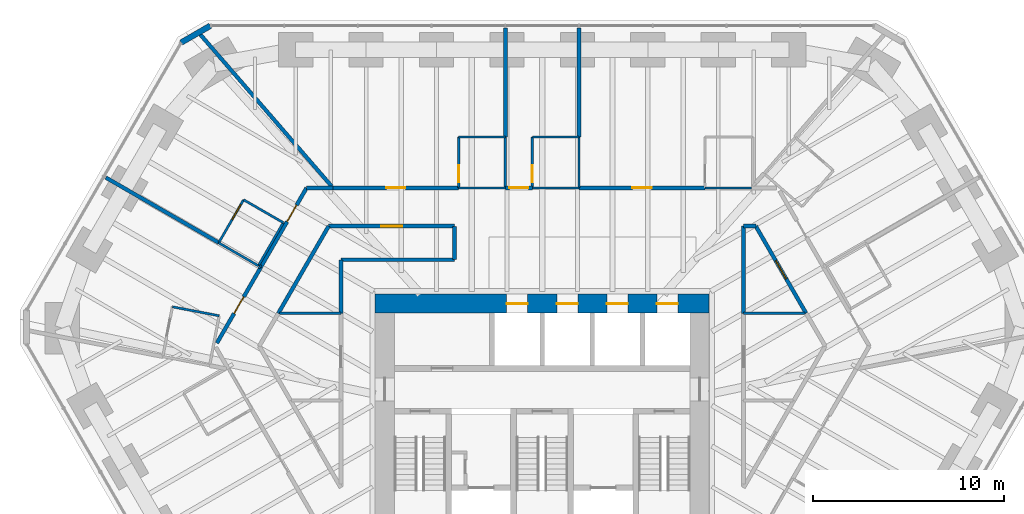
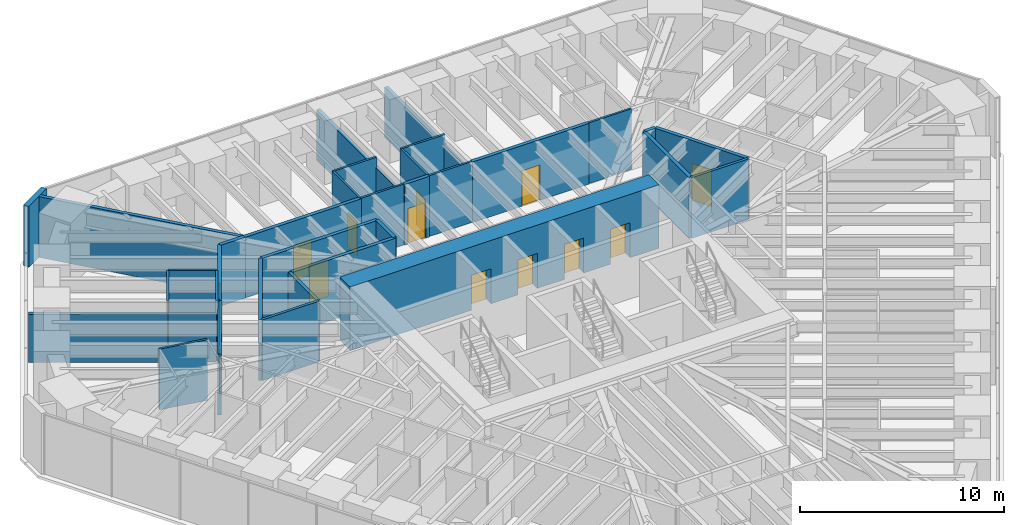
# One storey, part 14 of 16: 37 walls, 14 doors, 14 openings.
"""IFC4 building model written with IfcOpenShell, lengths in metres."""

import ifcopenshell
import ifcopenshell.guid

model = None  # the IFC model being written
_history = None  # IfcOwnerHistory: only IFC2X3 demands one
_inside = {}  # id of a spatial element -> (the spatial element, [elements in it])
_under = {}  # id of a project, library or spatial element -> (it, [spatial elements below it])
_declared = {}  # id of a project -> (the project, [libraries it declares])
_typed = {}  # id of a type object -> (the type object, [elements of that type])
_made_of = {}  # id of a material, layer set ... -> (it, [elements and type objects made of it])


def new_model(schema):
    """Start an empty IFC model of exactly this schema.

    Asked for "IFC4X3", IfcOpenShell would pick the latest addendum, in which some entities
    have other attributes; the version numbers below select the first issue.
    IFC2X3 requires an IfcOwnerHistory on every rooted entity: one is made here for all.
    """
    global model, _history
    if schema == "IFC4X3":
        model = ifcopenshell.file(schema_version=(4, 3, 0, 0))
    else:
        model = ifcopenshell.file(schema=schema)
    _inside.clear()
    _under.clear()
    _declared.clear()
    _typed.clear()
    _made_of.clear()
    _history = None
    if model.schema == "IFC2X3":
        org = make("IfcOrganization", Name="unknown")
        user = make(
            "IfcPersonAndOrganization",
            ThePerson=make("IfcPerson", FamilyName="unknown"),
            TheOrganization=org,
        )
        app = make(
            "IfcApplication",
            ApplicationDeveloper=org,
            Version="unknown",
            ApplicationFullName="unknown",
            ApplicationIdentifier="unknown",
        )
        _history = make(
            "IfcOwnerHistory",
            OwningUser=user,
            OwningApplication=app,
            ChangeAction="ADDED",
            CreationDate=0,
        )
    return model


def make(cls, **values):
    """One entity of the class cls with the attributes given. An attribute that is None is left unset."""
    return model.create_entity(
        cls, **{name: value for name, value in values.items() if value is not None}
    )


def rooted(cls, **values):
    """An entity with a GlobalId (a new one), such as an element, a storey or a relation."""
    return make(cls, GlobalId=ifcopenshell.guid.new(), OwnerHistory=_history, **values)


def si_unit(unit_type, name, prefix=None):
    """IfcSIUnit, for example si_unit("LENGTHUNIT", "METRE", prefix="MILLI")."""
    return make("IfcSIUnit", UnitType=unit_type, Prefix=prefix, Name=name)


def assignment(units):
    """IfcUnitAssignment: the units of a project."""
    return None if units is None else make("IfcUnitAssignment", Units=units)


def point(xyz):
    """IfcCartesianPoint."""
    return None if xyz is None else make("IfcCartesianPoint", Coordinates=xyz)


def direction(xyz):
    """IfcDirection."""
    return None if xyz is None else make("IfcDirection", DirectionRatios=xyz)


def frame(location, z_axis=None, x_axis=None):
    """IfcAxis2Placement3D, a coordinate frame: its origin and axes. An axis left out is left unset."""
    return make(
        "IfcAxis2Placement3D",
        Location=point(location),
        Axis=direction(z_axis),
        RefDirection=direction(x_axis),
    )


def frame_2d(location, x_axis=None):
    """IfcAxis2Placement2D, a coordinate frame in the plane: its origin and x axis."""
    return make(
        "IfcAxis2Placement2D", Location=point(location), RefDirection=direction(x_axis)
    )


def origin():
    """The frame at (0, 0, 0) with its axes left unset."""
    return frame((0.0, 0.0, 0.0))


def place(relative_to, where):
    """IfcLocalPlacement: puts the frame where relative to a parent placement (None: the world)."""
    return make(
        "IfcLocalPlacement", PlacementRelTo=relative_to, RelativePlacement=where
    )


def context(
    kind, dimensions, precision=None, world=None, true_north=None, identifier=None
):
    """IfcGeometricRepresentationContext, for example the 3D "Model" context."""
    return make(
        "IfcGeometricRepresentationContext",
        ContextIdentifier=identifier,
        ContextType=kind,
        CoordinateSpaceDimension=dimensions,
        Precision=precision,
        WorldCoordinateSystem=world,
        TrueNorth=true_north,
    )


def subcontext(parent, identifier, kind, view, scale=None):
    """IfcGeometricRepresentationSubContext, for example "Body" below "Model"."""
    return make(
        "IfcGeometricRepresentationSubContext",
        ContextIdentifier=identifier,
        ContextType=kind,
        ParentContext=parent,
        TargetScale=scale,
        TargetView=view,
    )


def project(units=None, contexts=None):
    """IfcProject with its units and contexts."""
    return rooted(
        "IfcProject",
        Name="project",
        RepresentationContexts=contexts,
        UnitsInContext=assignment(units),
    )


def spatial(cls, under=None, at=None, **own):
    """A site, building, storey or space (cls), placed at a placement, below another one or the project."""
    s = rooted(cls, ObjectPlacement=at, **own)
    if under is not None:
        _under.setdefault(under.id(), (under, []))[1].append(s)
    return s


def profile(cls, at=None, kind="AREA", **sizes):
    """A parametric profile (cls). Its sizes go by their IFC names, for example OverallWidth=200.0."""
    return make(cls, ProfileType=kind, Position=at, **sizes)


def rectangle(**sizes):
    """IfcRectangleProfileDef."""
    return profile("IfcRectangleProfileDef", **sizes)


def extrude(swept, where, along, depth):
    """IfcExtrudedAreaSolid: the profile swept, set in the frame where, extruded along a direction by depth."""
    return make(
        "IfcExtrudedAreaSolid",
        SweptArea=swept,
        Position=where,
        ExtrudedDirection=direction(along),
        Depth=depth,
    )


def shape(context_of_items, identifier, shape_type, items):
    """IfcShapeRepresentation: the items that make up one representation, for example the "Body"."""
    return make(
        "IfcShapeRepresentation",
        ContextOfItems=context_of_items,
        RepresentationIdentifier=identifier,
        RepresentationType=shape_type,
        Items=items,
    )


def material(Name=None, Category=None):
    """IfcMaterial."""
    return make("IfcMaterial", Name=Name, Category=Category)


def layer(
    of_material, thickness, ventilated=None, Name=None, Category=None, Priority=None
):
    """IfcMaterialLayer: one layer of a wall or slab, of a material (None: an air gap)."""
    return make(
        "IfcMaterialLayer",
        Material=of_material,
        LayerThickness=thickness,
        IsVentilated=ventilated,
        Name=Name,
        Category=Category,
        Priority=Priority,
    )


def layer_set(layers, Name=None):
    """IfcMaterialLayerSet."""
    return make("IfcMaterialLayerSet", MaterialLayers=layers, LayerSetName=Name)


def made_of(thing, what):
    """Note that an element or type object is made of a material, layer set ...; save() writes the relation."""
    if what is not None:
        _made_of.setdefault(what.id(), (what, []))[1].append(thing)
    return thing


def type_object(cls, material=None, **own):
    """A type object (cls), such as IfcWallType, which elements share."""
    return made_of(rooted(cls, **own), material)


def element(
    cls,
    number,
    at=None,
    inside=None,
    cuts=None,
    type_object=None,
    material=None,
    context=None,
    identifier="Body",
    shape_type=None,
    held_by="IfcProductDefinitionShape",
    body=None,
    shapes=None,
    **own,
):
    """One element of the class cls, such as IfcWall. Its Tag is "e" and its number.

    at: its placement. inside: the storey or other place that contains it. cuts: it is an
    opening in that element (IfcRelVoidsElement). A single representation is given by context,
    identifier, shape_type and body (its items); several are given by shapes. held_by: the class
    of the entity that holds the representations. save() writes the other relations.
    """
    e = rooted(cls, Tag="e%d" % number, ObjectPlacement=at, **own)
    if body is not None:
        shapes = [shape(context, identifier, shape_type, body)]
    if shapes is not None:
        e.Representation = make(held_by, Representations=shapes)
    if inside is not None:
        _inside.setdefault(inside.id(), (inside, []))[1].append(e)
    if cuts is not None:
        rooted(
            "IfcRelVoidsElement", RelatingBuildingElement=cuts, RelatedOpeningElement=e
        )
    if type_object is not None:
        _typed.setdefault(type_object.id(), (type_object, []))[1].append(e)
    return made_of(e, material)


def fill(opening, filler):
    """IfcRelFillsElement: the door or window that sits in an opening."""
    return rooted(
        "IfcRelFillsElement",
        RelatingOpeningElement=opening,
        RelatedBuildingElement=filler,
    )


def aggregate(whole, parts):
    """IfcRelAggregates: a whole, such as a stair, and the parts it consists of."""
    return rooted("IfcRelAggregates", RelatingObject=whole, RelatedObjects=parts)


def save(model, path):
    """Write the relations noted so far, then the file.

    IfcRelAggregates (storeys below a building ...), IfcRelContainedInSpatialStructure (elements
    in a storey), IfcRelDefinesByType, IfcRelAssociatesMaterial and IfcRelDeclares: one each for
    every whole, place, type object, material and project.
    """
    for whole, parts in _under.values():
        aggregate(whole, parts)
    for where, things in _inside.values():
        rooted(
            "IfcRelContainedInSpatialStructure",
            RelatedElements=things,
            RelatingStructure=where,
        )
    for kind, things in _typed.values():
        rooted("IfcRelDefinesByType", RelatedObjects=things, RelatingType=kind)
    for what, things in _made_of.values():
        rooted("IfcRelAssociatesMaterial", RelatedObjects=things, RelatingMaterial=what)
    for by, libraries in _declared.values():
        rooted("IfcRelDeclares", RelatingContext=by, RelatedDefinitions=libraries)
    model.write(path)


model = new_model("IFC4")

# Units and contexts
model_context = context("Model", 3, precision=1e-05, world=origin(), true_north=direction((0.0, 1.0)))
body_context = subcontext(model_context, "Body", "Model", "MODEL_VIEW")
ifc_project = project(units=[si_unit("LENGTHUNIT", "METRE"), si_unit("AREAUNIT", "SQUARE_METRE"), si_unit("VOLUMEUNIT", "CUBIC_METRE"), si_unit("PLANEANGLEUNIT", "RADIAN"), si_unit("MASSUNIT", "GRAM", prefix="KILO")], contexts=[model_context])

# Site, building, storey
site_placement = place(None, origin())
site = spatial("IfcSite", under=ifc_project, at=site_placement, CompositionType="ELEMENT")
building_placement = place(site_placement, origin())
building = spatial("IfcBuilding", under=site, at=building_placement, Name="Sandreach Pilgrim Tower", CompositionType="ELEMENT")
storey_placement = place(building_placement, frame((0.0, 0.0, 183.199951171875)))
storey = spatial("IfcBuildingStorey", under=building, at=storey_placement, Name="L45", CompositionType="ELEMENT", Elevation=183.199951171875)

# Walls
ifc_material_1 = material(Name="Gypsum board on steel studs", Category="steel")
ifc_layer_1 = layer(ifc_material_1, 0.14990234375)
ifc_layer_set_1 = layer_set([ifc_layer_1], Name="Back of house wall 150")
wall_type_1 = type_object("IfcWallType", Name="Back of house wall 150", PredefinedType="PARTITIONING", material=ifc_layer_set_1)
for number, where, z_axis, x_axis, name in (
    (1, (-13.77490234375, 6.090087890625, 0.0), (0.0, 0.0, 1.0), (1.0, 0.0, 0.0), "Back of house wall L45-026"),
    (2, (13.77490234375, 6.090087890625, 0.0), (0.0, 0.0, 1.0), (-1.0, 0.0, 0.0), "Back of house wall L45-131"),
):
    element("IfcWall", number, at=place(storey_placement, frame(where, z_axis=z_axis, x_axis=x_axis)), inside=storey, type_object=wall_type_1, Name=name, PredefinedType="PARTITIONING", context=body_context, shape_type="SweptSolid", body=[
        extrude(rectangle(XDim=3.224853515625, YDim=0.14990234375, at=frame_2d((1.6123046875, 0.0))), origin(), (0.0, 0.0, 1.0), 3.64013671875),
    ])
ifc_material_2 = material(Name="Moisture-resistant gypsum board on steel studs", Category="steel")
ifc_layer_2 = layer(ifc_material_2, 0.1201171875)
ifc_layer_set_2 = layer_set([ifc_layer_2], Name="Bathroom partition 120")
wall_type_2 = type_object("IfcWallType", Name="Bathroom partition 120", PredefinedType="PARTITIONING", material=ifc_layer_set_2)
wall_1_placement = place(storey_placement, frame((-16.953857421875, 9.783447265625, 0.0), z_axis=(0.0, 0.0, 1.0), x_axis=(0.865862137391, -0.500282679124, 0.0)))
element("IfcWall", 3, at=wall_1_placement, inside=storey, type_object=wall_type_2, Name="Bathroom partition L45-011", PredefinedType="PARTITIONING", context=body_context, shape_type="SweptSolid", body=[
    extrude(rectangle(XDim=2.4013671875, YDim=0.1201171875, at=frame_2d((1.20068359375, 0.0))), origin(), (0.0, 0.0, 1.0), 2.8779296875),
])
wall_2_placement = place(storey_placement, frame((-16.929931640625, 5.9599609375, 0.0), z_axis=(0.0, 0.0, 1.0), x_axis=(-0.982097071605, 0.18837553436, 0.0)))
element("IfcWall", 4, at=wall_2_placement, inside=storey, type_object=wall_type_2, Name="Bathroom partition L45-013", PredefinedType="PARTITIONING", context=body_context, shape_type="SweptSolid", body=[
    extrude(rectangle(XDim=2.494873046875, YDim=0.1201171875, at=frame_2d((1.24755859375, 0.0))), origin(), (0.0, 0.0, 1.0), 3.64013671875),
])

# Wall, opening, door
wall_3_placement = place(storey_placement, frame((-15.64990234375, 12.0400390625, 0.0), z_axis=(0.0, 0.0, 1.0), x_axis=(-0.500291685314, -0.865856933682, 0.0)))
wall_3 = element("IfcWall", 5, at=wall_3_placement, inside=storey, type_object=wall_type_2, Name="Bathroom partition L45-016", PredefinedType="PARTITIONING", context=body_context, shape_type="SweptSolid", body=[
    extrude(rectangle(XDim=2.5986328125, YDim=0.1201171875, at=frame_2d((1.29931640625, 0.0))), origin(), (0.0, 0.0, 1.0), 3.64013671875),
])
opening_1_placement = place(wall_3_placement, frame((0.300048828125, 0.0, 0.0)))
opening_1 = element("IfcOpeningElement", 6, at=opening_1_placement, cuts=wall_3, Name="Opening D09-17B", PredefinedType="OPENING", context=body_context, shape_type="SweptSolid", body=[
    extrude(rectangle(XDim=0.89990234375, YDim=2.030029296875, at=frame_2d((0.449951171875, 1.01513671875))), frame((0.0, 0.06005859375, 0.0), z_axis=(0.0, -1.0, 0.0), x_axis=(1.0, 0.0, 0.0)), (0.0, 0.0, 1.0), 0.1201171875),
])
ifc_material_3 = material(Name="Timber door, steel frame", Category="steel")
door_type_1 = type_object("IfcDoorType", Name="Bathroom door", OperationType="SINGLE_SWING_LEFT", PredefinedType="DOOR", material=ifc_material_3)
door_1_placement = place(opening_1_placement, origin())
door_1 = element("IfcDoor", 7, at=door_1_placement, inside=storey, type_object=door_type_1, Name="Door 4517B", OperationType="SINGLE_SWING_LEFT", OverallHeight=2.030029296875, OverallWidth=0.89990234375, PredefinedType="DOOR", context=body_context, shape_type="SweptSolid", body=[
    extrude(rectangle(XDim=0.89990234375, YDim=2.030029296875, at=frame_2d((0.449951171875, 1.01513671875))), frame((0.0, 0.02490234375, 0.0), z_axis=(0.0, -1.0, 0.0), x_axis=(1.0, 0.0, 0.0)), (0.0, 0.0, 1.0), 0.050048828125),
])
fill(opening_1, door_1)

# Walls
wall_4_placement = place(storey_placement, frame((-14.8701171875, 8.590087890625, 0.0), z_axis=(0.0, 0.0, 1.0), x_axis=(0.500291685314, 0.865856933682, 0.0)))
element("IfcWall", 8, at=wall_4_placement, inside=storey, type_object=wall_type_2, Name="Bathroom partition L45-018", PredefinedType="PARTITIONING", context=body_context, shape_type="SweptSolid", body=[
    extrude(rectangle(XDim=2.5986328125, YDim=0.1201171875, at=frame_2d((1.29931640625, 0.0))), origin(), (0.0, 0.0, 1.0), 3.64013671875),
])
wall_5_placement = place(storey_placement, frame((-13.570068359375, 10.840087890625, 0.0), z_axis=(0.0, 0.0, 1.0), x_axis=(-0.866177122335, 0.499737123639, 0.0)))
element("IfcWall", 9, at=wall_5_placement, inside=storey, type_object=wall_type_2, Name="Bathroom partition L45-027", PredefinedType="PARTITIONING", context=body_context, shape_type="SweptSolid", body=[
    extrude(rectangle(XDim=2.401123046875, YDim=0.1201171875, at=frame_2d((1.20068359375, 0.0))), origin(), (0.0, 0.0, 1.0), 3.64013671875),
])

# Wall, opening, door
wall_6_placement = place(storey_placement, frame((-4.3798828125, 15.330078125, 0.0), z_axis=(0.0, 0.0, 1.0), x_axis=(0.0, -1.0, 0.0)))
wall_6 = element("IfcWall", 10, at=wall_6_placement, inside=storey, type_object=wall_type_2, Name="Bathroom partition L45-052", PredefinedType="PARTITIONING", context=body_context, shape_type="SweptSolid", body=[
    extrude(rectangle(XDim=2.670166015625, YDim=0.1201171875, at=frame_2d((1.3349609375, 0.0))), origin(), (0.0, 0.0, 1.0), 3.64013671875),
])
opening_2_placement = place(wall_6_placement, frame((1.469970703125, 0.0, 0.0)))
opening_2 = element("IfcOpeningElement", 11, at=opening_2_placement, cuts=wall_6, Name="Opening D09-01B", PredefinedType="OPENING", context=body_context, shape_type="SweptSolid", body=[
    extrude(rectangle(XDim=0.89990234375, YDim=2.030029296875, at=frame_2d((0.449951171875, 1.01513671875))), frame((0.0, 0.06005859375, 0.0), z_axis=(0.0, -1.0, 0.0), x_axis=(1.0, 0.0, 0.0)), (0.0, 0.0, 1.0), 0.1201171875),
])
door_2_placement = place(opening_2_placement, origin())
door_2 = element("IfcDoor", 12, at=door_2_placement, inside=storey, type_object=door_type_1, Name="Door 4501B", OperationType="SINGLE_SWING_RIGHT", OverallHeight=2.030029296875, OverallWidth=0.89990234375, PredefinedType="DOOR", context=body_context, shape_type="SweptSolid", body=[
    extrude(rectangle(XDim=0.89990234375, YDim=2.030029296875, at=frame_2d((0.449951171875, 1.01513671875))), frame((0.0, 0.02490234375, 0.0), z_axis=(0.0, -1.0, 0.0), x_axis=(1.0, 0.0, 0.0)), (0.0, 0.0, 1.0), 0.050048828125),
])
fill(opening_2, door_2)

# Walls
for number, where, z_axis, x_axis, name in (
    (13, (-1.929931640625, 12.659912109375, 0.0), (0.0, 0.0, 1.0), (-1.0, 0.0, 0.0), "Bathroom partition L45-064"),
    (14, (-1.929931640625, 15.330078125, 0.0), (0.0, 0.0, 1.0), (-1.0, 0.0, 0.0), "Bathroom partition L45-065"),
):
    element("IfcWall", number, at=place(storey_placement, frame(where, z_axis=z_axis, x_axis=x_axis)), inside=storey, type_object=wall_type_2, Name=name, PredefinedType="PARTITIONING", context=body_context, shape_type="SweptSolid", body=[
        extrude(rectangle(XDim=2.449951171875, YDim=0.1201171875, at=frame_2d((1.22509765625, 0.0))), origin(), (0.0, 0.0, 1.0), 3.64013671875),
    ])
wall_7_placement = place(storey_placement, frame((-1.929931640625, 15.330078125, 0.0), z_axis=(0.0, 0.0, 1.0), x_axis=(0.0, -1.0, 0.0)))
element("IfcWall", 15, at=wall_7_placement, inside=storey, type_object=wall_type_2, Name="Bathroom partition L45-066", PredefinedType="PARTITIONING", context=body_context, shape_type="SweptSolid", body=[
    extrude(rectangle(XDim=2.670166015625, YDim=0.1201171875, at=frame_2d((1.3349609375, 0.0))), origin(), (0.0, 0.0, 1.0), 3.02294921875),
])

# Wall, opening, door
wall_8_placement = place(storey_placement, frame((-0.52001953125, 15.330078125, 0.0), z_axis=(0.0, 0.0, 1.0), x_axis=(0.0, -1.0, 0.0)))
wall_8 = element("IfcWall", 16, at=wall_8_placement, inside=storey, type_object=wall_type_2, Name="Bathroom partition L45-073", PredefinedType="PARTITIONING", context=body_context, shape_type="SweptSolid", body=[
    extrude(rectangle(XDim=2.670166015625, YDim=0.1201171875, at=frame_2d((1.3349609375, 0.0))), origin(), (0.0, 0.0, 1.0), 3.64013671875),
])
opening_3_placement = place(wall_8_placement, frame((1.469970703125, 0.0, 0.0)))
opening_3 = element("IfcOpeningElement", 17, at=opening_3_placement, cuts=wall_8, Name="Opening D09-02B", PredefinedType="OPENING", context=body_context, shape_type="SweptSolid", body=[
    extrude(rectangle(XDim=0.89990234375, YDim=2.030029296875, at=frame_2d((0.449951171875, 1.01513671875))), frame((0.0, 0.06005859375, 0.0), z_axis=(0.0, -1.0, 0.0), x_axis=(1.0, 0.0, 0.0)), (0.0, 0.0, 1.0), 0.1201171875),
])
door_3_placement = place(opening_3_placement, origin())
door_3 = element("IfcDoor", 18, at=door_3_placement, inside=storey, type_object=door_type_1, Name="Door 4502B", OperationType="SINGLE_SWING_RIGHT", OverallHeight=2.030029296875, OverallWidth=0.89990234375, PredefinedType="DOOR", context=body_context, shape_type="SweptSolid", body=[
    extrude(rectangle(XDim=0.89990234375, YDim=2.030029296875, at=frame_2d((0.449951171875, 1.01513671875))), frame((0.0, 0.02490234375, 0.0), z_axis=(0.0, -1.0, 0.0), x_axis=(1.0, 0.0, 0.0)), (0.0, 0.0, 1.0), 0.050048828125),
])
fill(opening_3, door_3)

# Walls
for number, where, z_axis, x_axis, name in (
    (19, (1.929931640625, 12.659912109375, 0.0), (0.0, 0.0, 1.0), (-1.0, 0.0, 0.0), "Bathroom partition L45-080"),
    (20, (1.929931640625, 15.330078125, 0.0), (0.0, 0.0, 1.0), (-1.0, 0.0, 0.0), "Bathroom partition L45-081"),
):
    element("IfcWall", number, at=place(storey_placement, frame(where, z_axis=z_axis, x_axis=x_axis)), inside=storey, type_object=wall_type_2, Name=name, PredefinedType="PARTITIONING", context=body_context, shape_type="SweptSolid", body=[
        extrude(rectangle(XDim=2.449951171875, YDim=0.1201171875, at=frame_2d((1.22509765625, 0.0))), origin(), (0.0, 0.0, 1.0), 3.64013671875),
    ])
wall_9_placement = place(storey_placement, frame((1.929931640625, 15.330078125, 0.0), z_axis=(0.0, 0.0, 1.0), x_axis=(0.0, -1.0, 0.0)))
element("IfcWall", 21, at=wall_9_placement, inside=storey, type_object=wall_type_2, Name="Bathroom partition L45-082", PredefinedType="PARTITIONING", context=body_context, shape_type="SweptSolid", body=[
    extrude(rectangle(XDim=2.670166015625, YDim=0.1201171875, at=frame_2d((1.3349609375, 0.0))), origin(), (0.0, 0.0, 1.0), 3.02294921875),
])
wall_10_placement = place(storey_placement, frame((10.9599609375, 12.659912109375, 0.0), z_axis=(0.0, 0.0, 1.0), x_axis=(-1.0, 0.0, 0.0)))
element("IfcWall", 22, at=wall_10_placement, inside=storey, type_object=wall_type_2, Name="Bathroom partition L45-111", PredefinedType="PARTITIONING", context=body_context, shape_type="SweptSolid", body=[
    extrude(rectangle(XDim=2.429931640625, YDim=0.1201171875, at=frame_2d((1.21484375, 0.0))), origin(), (0.0, 0.0, 1.0), 3.64013671875),
])

# Wall, openings, doors
ifc_material_4 = material(Name="Concrete 10000 psi", Category="concrete")
ifc_layer_3 = layer(ifc_material_4, 1.0)
ifc_layer_set_3 = layer_set([ifc_layer_3], Name="Core wall 1000")
wall_type_3 = type_object("IfcWallType", Name="Core wall 1000", PredefinedType="SHEAR", material=ifc_layer_set_3)
wall_11_placement = place(storey_placement, frame((-8.75, 6.60009765625, 0.0), z_axis=(0.0, 0.0, 1.0), x_axis=(1.0, 0.0, 0.0)))
wall_11 = element("IfcWall", 23, at=wall_11_placement, inside=storey, type_object=wall_type_3, Name="Core wall N L45", PredefinedType="SHEAR", context=body_context, shape_type="SweptSolid", body=[
    extrude(rectangle(XDim=17.5, YDim=1.0, at=frame_2d((8.75, 0.0))), origin(), (0.0, 0.0, 1.0), 3.800048828125),
])
opening_4_placement = place(wall_11_placement, frame((6.887451171875, 0.0, 0.0)))
opening_4 = element("IfcOpeningElement", 24, at=opening_4_placement, cuts=wall_11, Name="Opening LD11", PredefinedType="OPENING", context=body_context, shape_type="SweptSolid", body=[
    extrude(rectangle(XDim=1.10009765625, YDim=2.10009765625, at=frame_2d((0.550048828125, 1.050048828125))), frame((0.0, 0.5, 0.0), z_axis=(0.0, -1.0, 0.0), x_axis=(1.0, 0.0, 0.0)), (0.0, 0.0, 1.0), 1.0),
])
opening_5_placement = place(wall_11_placement, frame((9.512451171875, 0.0, 0.0)))
opening_5 = element("IfcOpeningElement", 25, at=opening_5_placement, cuts=wall_11, Name="Opening LD11", PredefinedType="OPENING", context=body_context, shape_type="SweptSolid", body=[
    extrude(rectangle(XDim=1.10009765625, YDim=2.10009765625, at=frame_2d((0.550048828125, 1.050048828125))), frame((0.0, 0.5, 0.0), z_axis=(0.0, -1.0, 0.0), x_axis=(1.0, 0.0, 0.0)), (0.0, 0.0, 1.0), 1.0),
])
opening_6_placement = place(wall_11_placement, frame((12.137451171875, 0.0, 0.0)))
opening_6 = element("IfcOpeningElement", 26, at=opening_6_placement, cuts=wall_11, Name="Opening LD11", PredefinedType="OPENING", context=body_context, shape_type="SweptSolid", body=[
    extrude(rectangle(XDim=1.10009765625, YDim=2.10009765625, at=frame_2d((0.550048828125, 1.050048828125))), frame((0.0, 0.5, 0.0), z_axis=(0.0, -1.0, 0.0), x_axis=(1.0, 0.0, 0.0)), (0.0, 0.0, 1.0), 1.0),
])
opening_7_placement = place(wall_11_placement, frame((14.762451171875, 0.0, 0.0)))
opening_7 = element("IfcOpeningElement", 27, at=opening_7_placement, cuts=wall_11, Name="Opening LD11", PredefinedType="OPENING", context=body_context, shape_type="SweptSolid", body=[
    extrude(rectangle(XDim=1.10009765625, YDim=2.10009765625, at=frame_2d((0.550048828125, 1.050048828125))), frame((0.0, 0.5, 0.0), z_axis=(0.0, -1.0, 0.0), x_axis=(1.0, 0.0, 0.0)), (0.0, 0.0, 1.0), 1.0),
])
ifc_material_5 = material(Name="Steel door and frame", Category="steel")
door_type_2 = type_object("IfcDoorType", Name="Lift landing door", OperationType="DOUBLE_DOOR_SLIDING", PredefinedType="DOOR", material=ifc_material_5)
door_4_placement = place(opening_4_placement, origin())
door_4 = element("IfcDoor", 28, at=door_4_placement, inside=storey, type_object=door_type_2, Name="Lift landing door Z3A L45", OperationType="DOUBLE_DOOR_SLIDING", OverallHeight=2.10009765625, OverallWidth=1.10009765625, PredefinedType="DOOR", context=body_context, shape_type="SweptSolid", body=[
    extrude(rectangle(XDim=1.10009765625, YDim=2.10009765625, at=frame_2d((0.550048828125, 1.050048828125))), frame((0.0, 0.02490234375, 0.0), z_axis=(0.0, -1.0, 0.0), x_axis=(1.0, 0.0, 0.0)), (0.0, 0.0, 1.0), 0.050048828125),
])
fill(opening_4, door_4)
door_5_placement = place(opening_5_placement, origin())
door_5 = element("IfcDoor", 29, at=door_5_placement, inside=storey, type_object=door_type_2, Name="Lift landing door Z3B L45", OperationType="DOUBLE_DOOR_SLIDING", OverallHeight=2.10009765625, OverallWidth=1.10009765625, PredefinedType="DOOR", context=body_context, shape_type="SweptSolid", body=[
    extrude(rectangle(XDim=1.10009765625, YDim=2.10009765625, at=frame_2d((0.550048828125, 1.050048828125))), frame((0.0, 0.02490234375, 0.0), z_axis=(0.0, -1.0, 0.0), x_axis=(1.0, 0.0, 0.0)), (0.0, 0.0, 1.0), 0.050048828125),
])
fill(opening_5, door_5)
door_6_placement = place(opening_6_placement, origin())
door_6 = element("IfcDoor", 30, at=door_6_placement, inside=storey, type_object=door_type_2, Name="Lift landing door Z3C L45", OperationType="DOUBLE_DOOR_SLIDING", OverallHeight=2.10009765625, OverallWidth=1.10009765625, PredefinedType="DOOR", context=body_context, shape_type="SweptSolid", body=[
    extrude(rectangle(XDim=1.10009765625, YDim=2.10009765625, at=frame_2d((0.550048828125, 1.050048828125))), frame((0.0, 0.02490234375, 0.0), z_axis=(0.0, -1.0, 0.0), x_axis=(1.0, 0.0, 0.0)), (0.0, 0.0, 1.0), 0.050048828125),
])
fill(opening_6, door_6)
door_7_placement = place(opening_7_placement, origin())
door_7 = element("IfcDoor", 31, at=door_7_placement, inside=storey, type_object=door_type_2, Name="Lift landing door Z3D L45", OperationType="DOUBLE_DOOR_SLIDING", OverallHeight=2.10009765625, OverallWidth=1.10009765625, PredefinedType="DOOR", context=body_context, shape_type="SweptSolid", body=[
    extrude(rectangle(XDim=1.10009765625, YDim=2.10009765625, at=frame_2d((0.550048828125, 1.050048828125))), frame((0.0, 0.02490234375, 0.0), z_axis=(0.0, -1.0, 0.0), x_axis=(1.0, 0.0, 0.0)), (0.0, 0.0, 1.0), 0.050048828125),
])
fill(opening_7, door_7)

# Wall, opening, door
ifc_material_6 = material(Name="Gypsum board on steel studs, two layers each side", Category="steel")
ifc_layer_4 = layer(ifc_material_6, 0.199951171875)
ifc_layer_set_4 = layer_set([ifc_layer_4], Name="Corridor wall 200")
wall_type_4 = type_object("IfcWallType", Name="Corridor wall 200", PredefinedType="PARTITIONING", material=ifc_layer_set_4)
wall_12_placement = place(storey_placement, frame((-14.75, 8.510009765625, 0.0), z_axis=(0.0, 0.0, 1.0), x_axis=(0.500618647881, 0.86566793252, 0.0)))
wall_12 = element("IfcWall", 32, at=wall_12_placement, inside=storey, type_object=wall_type_4, Name="Corridor wall L45-021", PredefinedType="PARTITIONING", context=body_context, shape_type="SweptSolid", body=[
    extrude(rectangle(XDim=4.7939453125, YDim=0.199951171875, at=frame_2d((2.39697265625, 0.0))), origin(), (0.0, 0.0, 1.0), 3.64013671875),
])
opening_8_placement = place(wall_12_placement, frame((2.75, 0.0, 0.0)))
opening_8 = element("IfcOpeningElement", 33, at=opening_8_placement, cuts=wall_12, Name="Opening D10-17", PredefinedType="OPENING", context=body_context, shape_type="SweptSolid", body=[
    extrude(rectangle(XDim=1.0, YDim=2.1298828125, at=frame_2d((0.5, 1.06494140625))), frame((0.0, 0.10009765625, 0.0), z_axis=(0.0, -1.0, 0.0), x_axis=(1.0, 0.0, 0.0)), (0.0, 0.0, 1.0), 0.199951171875),
])
ifc_material_7 = material(Name="Steel door and frame", Category="steel")
door_type_3 = type_object("IfcDoorType", Name="Guest room entry door", OperationType="SINGLE_SWING_LEFT", PredefinedType="DOOR", material=ifc_material_7)
door_8_placement = place(opening_8_placement, origin())
door_8 = element("IfcDoor", 34, at=door_8_placement, inside=storey, type_object=door_type_3, Name="Door 4517", OperationType="SINGLE_SWING_RIGHT", OverallHeight=2.1298828125, OverallWidth=1.0, PredefinedType="DOOR", context=body_context, shape_type="SweptSolid", body=[
    extrude(rectangle(XDim=1.0, YDim=2.1298828125, at=frame_2d((0.5, 1.06494140625))), frame((0.0, 0.02490234375, 0.0), z_axis=(0.0, -1.0, 0.0), x_axis=(1.0, 0.0, 0.0)), (0.0, 0.0, 1.0), 0.050048828125),
])
fill(opening_8, door_8)

wall_13_placement = place(storey_placement, frame((-14.739990234375, 8.510009765625, 0.0), z_axis=(0.0, 0.0, 1.0), x_axis=(-0.501513165407, -0.865150012959, 0.0)))
wall_13 = element("IfcWall", 35, at=wall_13_placement, inside=storey, type_object=wall_type_4, Name="Corridor wall L45-022", PredefinedType="PARTITIONING", context=body_context, shape_type="SweptSolid", body=[
    extrude(rectangle(XDim=4.600341796875, YDim=0.199951171875, at=frame_2d((2.30029296875, 0.0))), origin(), (0.0, 0.0, 1.0), 3.64013671875),
])
opening_9_placement = place(wall_13_placement, frame((1.80029296875, 0.0, 0.0)))
opening_9 = element("IfcOpeningElement", 36, at=opening_9_placement, cuts=wall_13, Name="Opening D10-16", PredefinedType="OPENING", context=body_context, shape_type="SweptSolid", body=[
    extrude(rectangle(XDim=1.0, YDim=2.1298828125, at=frame_2d((0.5, 1.06494140625))), frame((0.0, 0.10009765625, 0.0), z_axis=(0.0, -1.0, 0.0), x_axis=(1.0, 0.0, 0.0)), (0.0, 0.0, 1.0), 0.199951171875),
])
door_9_placement = place(opening_9_placement, origin())
door_9 = element("IfcDoor", 37, at=door_9_placement, inside=storey, type_object=door_type_3, Name="Door 4516", OperationType="SINGLE_SWING_LEFT", OverallHeight=2.1298828125, OverallWidth=1.0, PredefinedType="DOOR", context=body_context, shape_type="SweptSolid", body=[
    extrude(rectangle(XDim=1.0, YDim=2.1298828125, at=frame_2d((0.5, 1.06494140625))), frame((0.0, 0.02490234375, 0.0), z_axis=(0.0, -1.0, 0.0), x_axis=(1.0, 0.0, 0.0)), (0.0, 0.0, 1.0), 0.050048828125),
])
fill(opening_9, door_9)

# Wall
wall_14_placement = place(storey_placement, frame((-13.830078125, 6.090087890625, 0.0), z_axis=(0.0, 0.0, 1.0), x_axis=(0.500248310865, 0.865881993967, 0.0)))
element("IfcWall", 38, at=wall_14_placement, inside=storey, type_object=wall_type_4, Name="Corridor wall L45-025", PredefinedType="PARTITIONING", context=body_context, shape_type="SweptSolid", body=[
    extrude(rectangle(XDim=5.277587890625, YDim=0.199951171875, at=frame_2d((2.638671875, 0.0))), origin(), (0.0, 0.0, 1.0), 3.64013671875),
])

# Wall, opening, door
wall_15_placement = place(storey_placement, frame((-11.18994140625, 10.659912109375, 0.0), z_axis=(0.0, 0.0, 1.0), x_axis=(1.0, 0.0, 0.0)))
wall_15 = element("IfcWall", 39, at=wall_15_placement, inside=storey, type_object=wall_type_4, Name="Corridor wall L45-033", PredefinedType="PARTITIONING", context=body_context, shape_type="SweptSolid", body=[
    extrude(rectangle(XDim=6.58984375, YDim=0.199951171875, at=frame_2d((3.294921875, 0.0))), origin(), (0.0, 0.0, 1.0), 3.64013671875),
])
opening_10_placement = place(wall_15_placement, frame((2.7451171875, 0.0, 0.0)))
opening_10 = element("IfcOpeningElement", 40, at=opening_10_placement, cuts=wall_15, Name="Opening D11H-M03", PredefinedType="OPENING", context=body_context, shape_type="SweptSolid", body=[
    extrude(rectangle(XDim=1.10009765625, YDim=2.199951171875, at=frame_2d((0.550048828125, 1.10009765625))), frame((0.0, 0.10009765625, 0.0), z_axis=(0.0, -1.0, 0.0), x_axis=(1.0, 0.0, 0.0)), (0.0, 0.0, 1.0), 0.199951171875),
])
ifc_material_8 = material(Name="Steel door and frame", Category="steel")
door_type_4 = type_object("IfcDoorType", Name="Back of house door", OperationType="SINGLE_SWING_LEFT", PredefinedType="DOOR", material=ifc_material_8)
door_10_placement = place(opening_10_placement, origin())
door_10 = element("IfcDoor", 41, at=door_10_placement, inside=storey, type_object=door_type_4, Name="Door 45M03", OperationType="SINGLE_SWING_LEFT", OverallHeight=2.199951171875, OverallWidth=1.10009765625, PredefinedType="DOOR", context=body_context, shape_type="SweptSolid", body=[
    extrude(rectangle(XDim=1.10009765625, YDim=2.199951171875, at=frame_2d((0.550048828125, 1.10009765625))), frame((0.0, 0.02490234375, 0.0), z_axis=(0.0, -1.0, 0.0), x_axis=(1.0, 0.0, 0.0)), (0.0, 0.0, 1.0), 0.050048828125),
])
fill(opening_10, door_10)

# Walls
wall_16_placement = place(storey_placement, frame((-10.9599609375, 12.659912109375, 0.0), z_axis=(0.0, 0.0, 1.0), x_axis=(-1.0, 0.0, 0.0)))
element("IfcWall", 42, at=wall_16_placement, inside=storey, type_object=wall_type_4, Name="Corridor wall L45-036", PredefinedType="PARTITIONING", context=body_context, shape_type="SweptSolid", body=[
    extrude(rectangle(XDim=1.39013671875, YDim=0.199951171875, at=frame_2d((0.695068359375, 0.0))), origin(), (0.0, 0.0, 1.0), 3.64013671875),
])
wall_17_placement = place(storey_placement, frame((-10.550048828125, 8.889892578125, 0.0), z_axis=(0.0, 0.0, 1.0), x_axis=(0.0, -1.0, 0.0)))
element("IfcWall", 43, at=wall_17_placement, inside=storey, type_object=wall_type_4, Name="Corridor wall L45-042", PredefinedType="PARTITIONING", context=body_context, shape_type="SweptSolid", body=[
    extrude(rectangle(XDim=2.7998046875, YDim=0.199951171875, at=frame_2d((1.39990234375, 0.0))), origin(), (0.0, 0.0, 1.0), 3.64013671875),
])
wall_18_placement = place(storey_placement, frame((-4.60009765625, 8.89990234375, 0.0), z_axis=(0.0, 0.0, 1.0), x_axis=(-1.0, 0.0, 0.0)))
element("IfcWall", 44, at=wall_18_placement, inside=storey, type_object=wall_type_4, Name="Corridor wall L45-049", PredefinedType="PARTITIONING", context=body_context, shape_type="SweptSolid", body=[
    extrude(rectangle(XDim=5.949951171875, YDim=0.199951171875, at=frame_2d((2.97509765625, 0.0))), origin(), (0.0, 0.0, 1.0), 3.64013671875),
])
wall_19_placement = place(storey_placement, frame((-4.60009765625, 10.64990234375, 0.0), z_axis=(0.0, 0.0, 1.0), x_axis=(0.0, -1.0, 0.0)))
element("IfcWall", 45, at=wall_19_placement, inside=storey, type_object=wall_type_4, Name="Corridor wall L45-050", PredefinedType="PARTITIONING", context=body_context, shape_type="SweptSolid", body=[
    extrude(rectangle(XDim=1.739990234375, YDim=0.199951171875, at=frame_2d((0.8701171875, 0.0))), origin(), (0.0, 0.0, 1.0), 3.64013671875),
])

# Wall, opening, door
wall_20_placement = place(storey_placement, frame((-4.3798828125, 12.659912109375, 0.0), z_axis=(0.0, 0.0, 1.0), x_axis=(-1.0, 0.0, 0.0)))
wall_20 = element("IfcWall", 46, at=wall_20_placement, inside=storey, type_object=wall_type_4, Name="Corridor wall L45-051", PredefinedType="PARTITIONING", context=body_context, shape_type="SweptSolid", body=[
    extrude(rectangle(XDim=6.580078125, YDim=0.199951171875, at=frame_2d((3.2900390625, 0.0))), origin(), (0.0, 0.0, 1.0), 3.64013671875),
])
opening_11_placement = place(wall_20_placement, frame((2.7900390625, 0.0, 0.0)))
opening_11 = element("IfcOpeningElement", 47, at=opening_11_placement, cuts=wall_20, Name="Opening D10-01", PredefinedType="OPENING", context=body_context, shape_type="SweptSolid", body=[
    extrude(rectangle(XDim=1.0, YDim=2.1298828125, at=frame_2d((0.5, 1.06494140625))), frame((0.0, 0.10009765625, 0.0), z_axis=(0.0, -1.0, 0.0), x_axis=(1.0, 0.0, 0.0)), (0.0, 0.0, 1.0), 0.199951171875),
])
door_11_placement = place(opening_11_placement, origin())
door_11 = element("IfcDoor", 48, at=door_11_placement, inside=storey, type_object=door_type_3, Name="Door 4501", OperationType="SINGLE_SWING_LEFT", OverallHeight=2.1298828125, OverallWidth=1.0, PredefinedType="DOOR", context=body_context, shape_type="SweptSolid", body=[
    extrude(rectangle(XDim=1.0, YDim=2.1298828125, at=frame_2d((0.5, 1.06494140625))), frame((0.0, 0.02490234375, 0.0), z_axis=(0.0, -1.0, 0.0), x_axis=(1.0, 0.0, 0.0)), (0.0, 0.0, 1.0), 0.050048828125),
])
fill(opening_11, door_11)

wall_21_placement = place(storey_placement, frame((-0.52001953125, 12.659912109375, 0.0), z_axis=(0.0, 0.0, 1.0), x_axis=(-1.0, 0.0, 0.0)))
wall_21 = element("IfcWall", 49, at=wall_21_placement, inside=storey, type_object=wall_type_4, Name="Corridor wall L45-072", PredefinedType="PARTITIONING", context=body_context, shape_type="SweptSolid", body=[
    extrude(rectangle(XDim=1.409912109375, YDim=0.199951171875, at=frame_2d((0.705078125, 0.0))), origin(), (0.0, 0.0, 1.0), 3.64013671875),
])
opening_12_placement = place(wall_21_placement, frame((0.205078125, 0.0, 0.0)))
opening_12 = element("IfcOpeningElement", 50, at=opening_12_placement, cuts=wall_21, Name="Opening D10-02", PredefinedType="OPENING", context=body_context, shape_type="SweptSolid", body=[
    extrude(rectangle(XDim=1.0, YDim=2.1298828125, at=frame_2d((0.5, 1.06494140625))), frame((0.0, 0.10009765625, 0.0), z_axis=(0.0, -1.0, 0.0), x_axis=(1.0, 0.0, 0.0)), (0.0, 0.0, 1.0), 0.199951171875),
])
door_12_placement = place(opening_12_placement, origin())
door_12 = element("IfcDoor", 51, at=door_12_placement, inside=storey, type_object=door_type_3, Name="Door 4502", OperationType="SINGLE_SWING_LEFT", OverallHeight=2.1298828125, OverallWidth=1.0, PredefinedType="DOOR", context=body_context, shape_type="SweptSolid", body=[
    extrude(rectangle(XDim=1.0, YDim=2.1298828125, at=frame_2d((0.5, 1.06494140625))), frame((0.0, 0.02490234375, 0.0), z_axis=(0.0, -1.0, 0.0), x_axis=(1.0, 0.0, 0.0)), (0.0, 0.0, 1.0), 0.050048828125),
])
fill(opening_12, door_12)

wall_22_placement = place(storey_placement, frame((8.530029296875, 12.659912109375, 0.0), z_axis=(0.0, 0.0, 1.0), x_axis=(-1.0, 0.0, 0.0)))
wall_22 = element("IfcWall", 52, at=wall_22_placement, inside=storey, type_object=wall_type_4, Name="Corridor wall L45-101", PredefinedType="PARTITIONING", context=body_context, shape_type="SweptSolid", body=[
    extrude(rectangle(XDim=6.60009765625, YDim=0.199951171875, at=frame_2d((3.300048828125, 0.0))), origin(), (0.0, 0.0, 1.0), 3.64013671875),
])
opening_13_placement = place(wall_22_placement, frame((2.800048828125, 0.0, 0.0)))
opening_13 = element("IfcOpeningElement", 53, at=opening_13_placement, cuts=wall_22, Name="Opening D10-03", PredefinedType="OPENING", context=body_context, shape_type="SweptSolid", body=[
    extrude(rectangle(XDim=1.0, YDim=2.1298828125, at=frame_2d((0.5, 1.06494140625))), frame((0.0, 0.10009765625, 0.0), z_axis=(0.0, -1.0, 0.0), x_axis=(1.0, 0.0, 0.0)), (0.0, 0.0, 1.0), 0.199951171875),
])
door_13_placement = place(opening_13_placement, origin())
door_13 = element("IfcDoor", 54, at=door_13_placement, inside=storey, type_object=door_type_3, Name="Door 4503", OperationType="SINGLE_SWING_LEFT", OverallHeight=2.1298828125, OverallWidth=1.0, PredefinedType="DOOR", context=body_context, shape_type="SweptSolid", body=[
    extrude(rectangle(XDim=1.0, YDim=2.1298828125, at=frame_2d((0.5, 1.06494140625))), frame((0.0, 0.02490234375, 0.0), z_axis=(0.0, -1.0, 0.0), x_axis=(1.0, 0.0, 0.0)), (0.0, 0.0, 1.0), 0.050048828125),
])
fill(opening_13, door_13)

# Walls
wall_23_placement = place(storey_placement, frame((10.550048828125, 6.090087890625, 0.0), z_axis=(0.0, 0.0, 1.0), x_axis=(0.0, 1.0, 0.0)))
element("IfcWall", 55, at=wall_23_placement, inside=storey, type_object=wall_type_4, Name="Corridor wall L45-109", PredefinedType="PARTITIONING", context=body_context, shape_type="SweptSolid", body=[
    extrude(rectangle(XDim=4.56982421875, YDim=0.199951171875, at=frame_2d((2.284912109375, 0.0))), origin(), (0.0, 0.0, 1.0), 3.64013671875),
])
wall_24_placement = place(storey_placement, frame((10.56005859375, 10.659912109375, 0.0), z_axis=(0.0, 0.0, 1.0), x_axis=(1.0, 0.0, 0.0)))
element("IfcWall", 56, at=wall_24_placement, inside=storey, type_object=wall_type_4, Name="Corridor wall L45-110", PredefinedType="PARTITIONING", context=body_context, shape_type="SweptSolid", body=[
    extrude(rectangle(XDim=0.6298828125, YDim=0.199951171875, at=frame_2d((0.31494140625, 0.0))), origin(), (0.0, 0.0, 1.0), 3.64013671875),
])

# Wall, opening, door
wall_25_placement = place(storey_placement, frame((11.18994140625, 10.659912109375, 0.0), z_axis=(0.0, 0.0, 1.0), x_axis=(0.500248310865, -0.865881993967, 0.0)))
wall_25 = element("IfcWall", 57, at=wall_25_placement, inside=storey, type_object=wall_type_4, Name="Corridor wall L45-116", PredefinedType="PARTITIONING", context=body_context, shape_type="SweptSolid", body=[
    extrude(rectangle(XDim=5.277587890625, YDim=0.199951171875, at=frame_2d((2.638671875, 0.0))), origin(), (0.0, 0.0, 1.0), 3.64013671875),
])
opening_14_placement = place(wall_25_placement, frame((2.0888671875, 0.0, 0.0)))
opening_14 = element("IfcOpeningElement", 58, at=opening_14_placement, cuts=wall_25, Name="Opening D11H-M05", PredefinedType="OPENING", context=body_context, shape_type="SweptSolid", body=[
    extrude(rectangle(XDim=1.10009765625, YDim=2.199951171875, at=frame_2d((0.550048828125, 1.10009765625))), frame((0.0, 0.10009765625, 0.0), z_axis=(0.0, -1.0, 0.0), x_axis=(1.0, 0.0, 0.0)), (0.0, 0.0, 1.0), 0.199951171875),
])
door_14_placement = place(opening_14_placement, origin())
door_14 = element("IfcDoor", 59, at=door_14_placement, inside=storey, type_object=door_type_4, Name="Door 45M05", OperationType="SINGLE_SWING_LEFT", OverallHeight=2.199951171875, OverallWidth=1.10009765625, PredefinedType="DOOR", context=body_context, shape_type="SweptSolid", body=[
    extrude(rectangle(XDim=1.10009765625, YDim=2.199951171875, at=frame_2d((0.550048828125, 1.10009765625))), frame((0.0, 0.02490234375, 0.0), z_axis=(0.0, -1.0, 0.0), x_axis=(1.0, 0.0, 0.0)), (0.0, 0.0, 1.0), 0.050048828125),
])
fill(opening_14, door_14)

# Walls
ifc_material_9 = material(Name="Double steel stud acoustic wall, gypsum board", Category="steel")
ifc_layer_5 = layer(ifc_material_9, 0.199951171875)
ifc_layer_set_5 = layer_set([ifc_layer_5], Name="Party wall 200")
wall_type_5 = type_object("IfcWallType", Name="Party wall 200", PredefinedType="PARTITIONING", material=ifc_layer_set_5)
wall_26_placement = place(storey_placement, frame((-16.949951171875, 9.7900390625, 0.0), z_axis=(0.0, 0.0, 1.0), x_axis=(-0.866371236465, 0.499400521251, 0.0)))
element("IfcWall", 60, at=wall_26_placement, inside=storey, type_object=wall_type_5, Name="Party wall L45-012", PredefinedType="PARTITIONING", context=body_context, shape_type="SweptSolid", body=[
    extrude(rectangle(XDim=6.82861328125, YDim=0.199951171875, at=frame_2d((3.414306640625, 0.0))), origin(), (0.0, 0.0, 1.0), 2.8779296875),
])
wall_27_placement = place(storey_placement, frame((-14.826904296875, 8.554443359375, 0.0), z_axis=(0.0, 0.0, 1.0), x_axis=(0.865865073245, -0.500277597875, 0.0)))
element("IfcWall", 61, at=wall_27_placement, inside=storey, type_object=wall_type_5, Name="Party wall L45-020", PredefinedType="PARTITIONING", context=body_context, shape_type="SweptSolid", body=[
    extrude(rectangle(XDim=0.0888671875, YDim=0.199951171875, at=frame_2d((0.04443359375, 0.0))), origin(), (0.0, 0.0, 1.0), 3.64013671875),
])
wall_28_placement = place(storey_placement, frame((-11.02880859375, 12.739501953125, 0.0), z_axis=(0.0, 0.0, 1.0), x_axis=(-0.654429261747, 0.756123231603, 0.0)))
element("IfcWall", 62, at=wall_28_placement, inside=storey, type_object=wall_type_5, Name="Party wall L45-035", PredefinedType="PARTITIONING", context=body_context, shape_type="SweptSolid", body=[
    extrude(rectangle(XDim=10.683349609375, YDim=0.199951171875, at=frame_2d((5.341796875, 0.0))), origin(), (0.0, 0.0, 1.0), 3.64013671875),
])
for number, where, z_axis, x_axis, name in (
    (63, (-1.929931640625, 21.0400390625, 0.0), (0.0, 0.0, 1.0), (0.0, -1.0, 0.0), "Party wall L45-067"),
    (64, (1.929931640625, 21.0400390625, 0.0), (0.0, 0.0, 1.0), (0.0, -1.0, 0.0), "Party wall L45-083"),
):
    element("IfcWall", number, at=place(storey_placement, frame(where, z_axis=z_axis, x_axis=x_axis)), inside=storey, type_object=wall_type_5, Name=name, PredefinedType="PARTITIONING", context=body_context, shape_type="SweptSolid", body=[
        extrude(rectangle(XDim=5.7099609375, YDim=0.199951171875, at=frame_2d((2.85498046875, 0.0))), origin(), (0.0, 0.0, 1.0), 3.02294921875),
    ])
ifc_material_10 = material(Name="Terracotta rainscreen on concrete", Category="masonry")
ifc_layer_6 = layer(ifc_material_10, 0.300048828125)
ifc_layer_set_6 = layer_set([ifc_layer_6], Name="Terracotta chamfer pier")
wall_type_6 = type_object("IfcWallType", Name="Terracotta chamfer pier", PredefinedType="SOLIDWALL", material=ifc_layer_set_6)
wall_29_placement = place(storey_placement, frame((-18.9228515625, 20.275146484375, 0.0), z_axis=(0.0, 0.0, 1.0), x_axis=(0.866036293601, 0.499981137809, 0.0)))
element("IfcWall", 65, at=wall_29_placement, inside=storey, type_object=wall_type_6, Name="Chamfer pier L45 NW", PredefinedType="SOLIDWALL", context=body_context, shape_type="SweptSolid", body=[
    extrude(rectangle(XDim=1.77001953125, YDim=0.300048828125, at=frame_2d((0.885009765625, 0.0))), origin(), (0.0, 0.0, 1.0), 3.64013671875),
])

save(model, "model.ifc")
